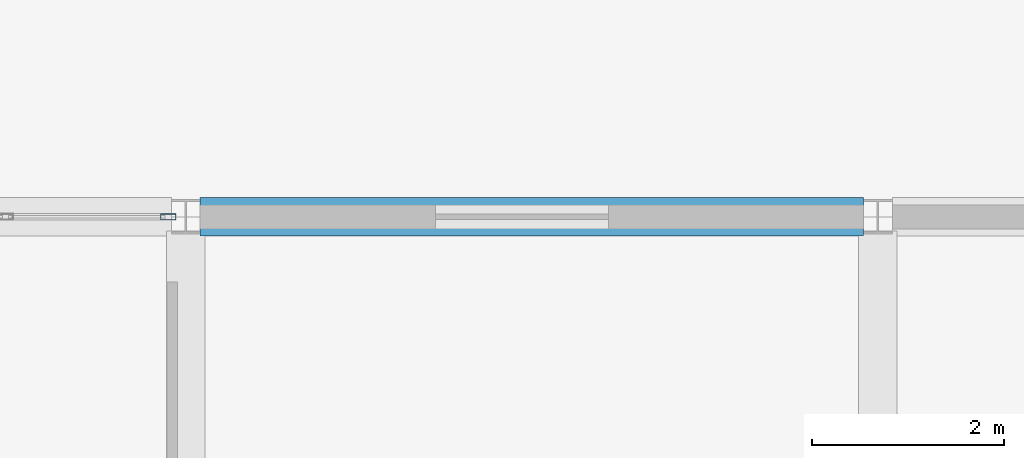
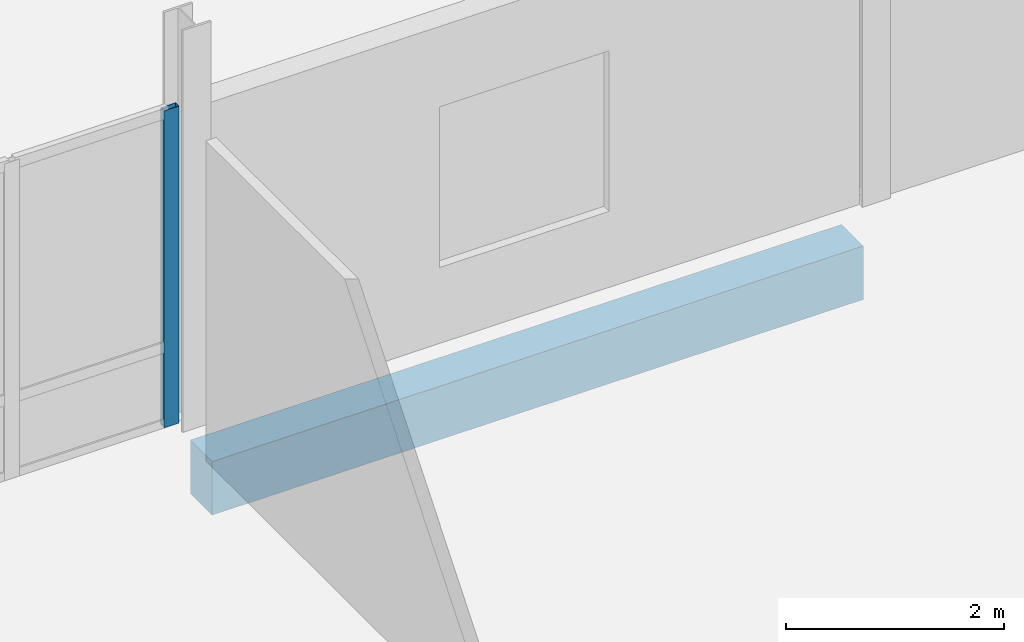
# One storey, part 87 of 139: 1 beam, 1 member, 1 element without a shape of its own.
"""IFC4 building model written with IfcOpenShell, lengths in metres."""

from ifc_helpers import new_model, si_unit, direction, frame, origin, origin_2d, place, context, subcontext, project, spatial, rectangle, hollow_rectangle, extrude, material, material_profile, profile_set, type_object, element, aggregate, save


model = new_model("IFC4")

# Units and contexts
model_context = context("Model", 3, precision=1e-05, world=origin(), true_north=direction((0.0, 1.0)))
body_context = subcontext(model_context, "Body", "Model", "MODEL_VIEW")
ifc_project = project(units=[si_unit("LENGTHUNIT", "METRE"), si_unit("AREAUNIT", "SQUARE_METRE"), si_unit("VOLUMEUNIT", "CUBIC_METRE"), si_unit("PLANEANGLEUNIT", "RADIAN"), si_unit("MASSUNIT", "GRAM", prefix="KILO")], contexts=[model_context])

# Site, building, storey
site_placement = place(None, origin())
site = spatial("IfcSite", under=ifc_project, at=site_placement, CompositionType="ELEMENT")
building_placement = place(site_placement, origin())
building = spatial("IfcBuilding", under=site, at=building_placement, Name="Suanplinth Sawtooth Commons", CompositionType="ELEMENT")
storey_placement = place(building_placement, origin())
storey = spatial("IfcBuildingStorey", under=building, at=storey_placement, Name="L00", CompositionType="ELEMENT", Elevation=0.0)

# Beam
ifc_material_1 = material(Name="Precast concrete C40/50", Category="concrete")
ifc_material_profile_1 = material_profile(ifc_material_1, rectangle(XDim=0.39990234375, YDim=0.60009765625, at=origin_2d()), Name="PC-GDR 400x600")
ifc_profile_set_1 = profile_set([ifc_material_profile_1], Name="Precast concrete C40/50")
beam_type = type_object("IfcBeamType", Name="B-05", PredefinedType="USERDEFINED", material=ifc_profile_set_1)
beam_placement = place(storey_placement, frame((144.14990234375, 72.0, -0.719970703125), z_axis=(1.0, 0.0, 0.0), x_axis=(0.0, 1.0, 0.0)))
element("IfcBeam", 1, at=beam_placement, inside=storey, type_object=beam_type, Name="BMX-L00-NURS-20-10", ObjectType="GIRDER", PredefinedType="USERDEFINED", context=body_context, shape_type="SweptSolid", body=[
    extrude(rectangle(XDim=0.39990234375, YDim=0.60009765625, at=origin_2d()), origin(), (0.0, 0.0, 1.0), 6.900146484375),
])

# Curtain wall, member
ifc_material_2 = material(Name="Anodized aluminium and low-E glazing", Category="aluminium")
curtain_wall_type = type_object("IfcCurtainWallType", Name="CW-02", PredefinedType="USERDEFINED", material=ifc_material_2)
curtain_wall_placement = place(storey_placement, origin())
curtain_wall = element("IfcCurtainWall", 2, at=curtain_wall_placement, inside=storey, type_object=curtain_wall_type, Name="Curtain Wall CW-L00-NURS-N-19", ObjectType="CURTAIN WALL", PredefinedType="USERDEFINED")
ifc_material_3 = material(Name="Anodized aluminium 6063-T6", Category="aluminium")
ifc_material_profile_2 = material_profile(ifc_material_3, hollow_rectangle(XDim=0.06494140625, YDim=0.159912109375, WallThickness=0.00390625, at=origin_2d()), Name="ALU-MUL 65x160")
ifc_profile_set_2 = profile_set([ifc_material_profile_2], Name="Anodized aluminium 6063-T6")
member_type = type_object("IfcMemberType", Name="M-13", PredefinedType="MULLION", material=ifc_profile_set_2)
member_placement = place(storey_placement, frame((143.8173828125, 72.0, 0.0), z_axis=(0.0, 0.0, 1.0), x_axis=(0.0, 1.0, 0.0)))
member = element("IfcMember", 3, at=member_placement, type_object=member_type, Name="CW-02 mullion 5", PredefinedType="MULLION", context=body_context, shape_type="SweptSolid", body=[
    extrude(hollow_rectangle(XDim=0.06494140625, YDim=0.159912109375, WallThickness=0.00390625, at=origin_2d()), origin(), (0.0, 0.0, 1.0), 3.550048828125),
])
aggregate(curtain_wall, [member])

save(model, "model.ifc")
